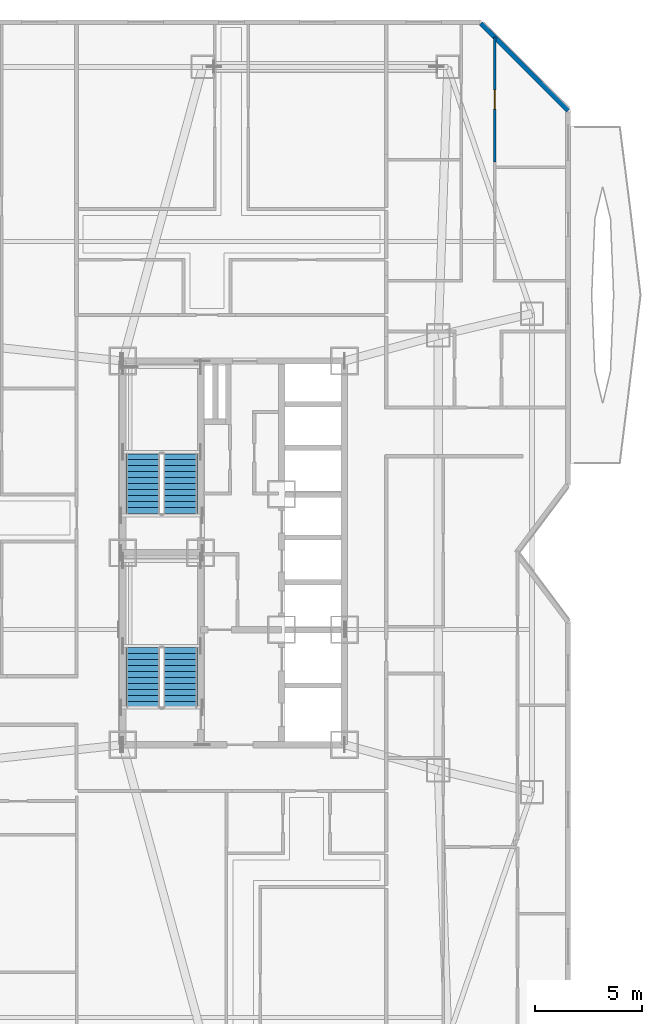
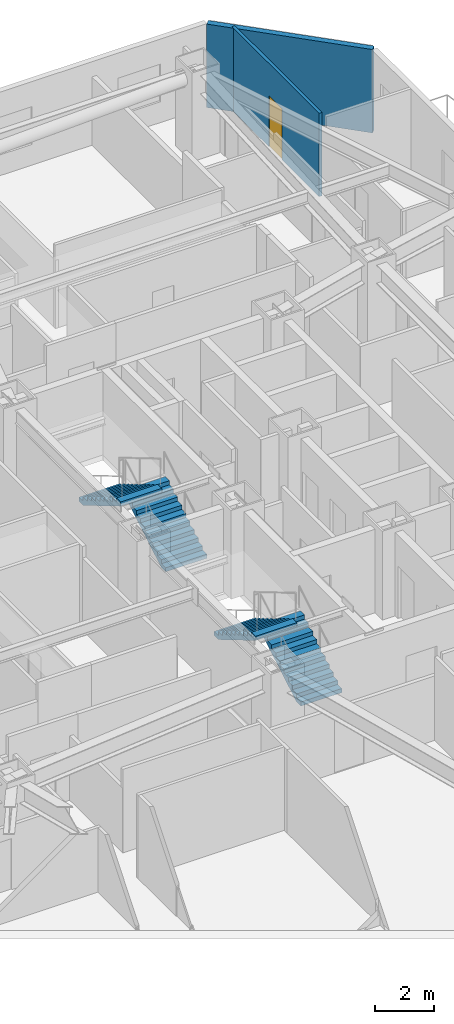
# One storey, part 14 of 17: 4 stair flights, 2 walls, 1 door, 1 opening, 2 elements without a shape of their own.
"""IFC4 building model written with IfcOpenShell, lengths in metres."""

from ifc_helpers import new_model, si_unit, direction, frame, frame_2d, origin, place, context, subcontext, project, spatial, polyline, rectangle, outline, extrude, material, layer, layer_set, type_object, element, fill, aggregate, save


model = new_model("IFC4")

# Units and contexts
model_context = context("Model", 3, precision=1e-05, world=origin(), true_north=direction((0.0, 1.0)))
body_context = subcontext(model_context, "Body", "Model", "MODEL_VIEW")
ifc_project = project(units=[si_unit("LENGTHUNIT", "METRE"), si_unit("AREAUNIT", "SQUARE_METRE"), si_unit("VOLUMEUNIT", "CUBIC_METRE"), si_unit("PLANEANGLEUNIT", "RADIAN"), si_unit("MASSUNIT", "GRAM", prefix="KILO")], contexts=[model_context])

# Site, building, storey
site_placement = place(None, origin())
site = spatial("IfcSite", under=ifc_project, at=site_placement, CompositionType="ELEMENT")
building_placement = place(site_placement, origin())
building = spatial("IfcBuilding", under=site, at=building_placement, Name="Khamvora Tower", CompositionType="ELEMENT")
storey_placement = place(building_placement, frame((0.0, 0.0, 44.25)))
storey = spatial("IfcBuildingStorey", under=building, at=storey_placement, Name="L10", CompositionType="ELEMENT", Elevation=44.25)

# Wall
ifc_material_1 = material(Name="Precast concrete C40/50", Category="concrete")
ifc_layer_1 = layer(ifc_material_1, 0.219970703125)
ifc_layer_set_1 = layer_set([ifc_layer_1], Name="Precast concrete C40/50")
wall_type_1 = type_object("IfcWallType", Name="WAL-EXT-220", PredefinedType="STANDARD", material=ifc_layer_set_1)
wall_1_placement = place(storey_placement, frame((45.802001953125, 52.842041015625, 0.0), z_axis=(0.0, 0.0, 1.0), x_axis=(0.707085666273, -0.70712789547, 0.0)))
element("IfcWall", 1, at=wall_1_placement, inside=storey, type_object=wall_type_1, Name="L10 exterior facade wall 08.1", PredefinedType="STANDARD", context=body_context, shape_type="SweptSolid", body=[
    extrude(rectangle(XDim=5.78125, YDim=0.219970703125, at=frame_2d((2.890625, 0.0))), origin(), (0.0, 0.0, 1.0), 3.429931640625),
])

# Wall, opening, door
ifc_material_2 = material(Name="Gypsum Plasterboard Partition", Category="gypsum")
ifc_layer_2 = layer(ifc_material_2, 0.1201171875)
ifc_layer_set_2 = layer_set([ifc_layer_2], Name="Gypsum Plasterboard Partition")
wall_type_2 = type_object("IfcWallType", Name="WAL-PART-120", PredefinedType="PARTITIONING", material=ifc_layer_set_2)
wall_2_placement = place(storey_placement, frame((46.445068359375, 52.2080078125, 0.0), z_axis=(0.0, 0.0, 1.0), x_axis=(0.0, -1.0, 0.0)))
wall_2 = element("IfcWall", 2, at=wall_2_placement, inside=storey, type_object=wall_type_2, Name="L10 interior partition wall 171", PredefinedType="PARTITIONING", context=body_context, shape_type="SweptSolid", body=[
    extrude(rectangle(XDim=5.8720703125, YDim=0.1201171875, at=frame_2d((2.93603515625, 0.0))), origin(), (0.0, 0.0, 1.0), 3.429931640625),
])
opening_placement = place(wall_2_placement, frame((2.486083984375, 0.0, 0.0)))
opening = element("IfcOpeningElement", 3, at=opening_placement, cuts=wall_2, Name="Opening D-RM1", PredefinedType="OPENING", context=body_context, shape_type="SweptSolid", body=[
    extrude(rectangle(XDim=0.89990234375, YDim=2.10009765625, at=frame_2d((0.449951171875, 1.050048828125))), frame((0.0, 0.070068359375, 0.0), z_axis=(0.0, -1.0, 0.0), x_axis=(1.0, 0.0, 0.0)), (0.0, 0.0, 1.0), 0.14013671875),
])
ifc_material_3 = material(Name="Powder-Coated Steel and Hardwood Leaf", Category="steel")
door_type = type_object("IfcDoorType", Name="DOR-ROOM-900", OperationType="NOTDEFINED", PredefinedType="DOOR", material=ifc_material_3)
door_placement = place(opening_placement, origin())
door = element("IfcDoor", 4, at=door_placement, inside=storey, type_object=door_type, Name="L10 interior door 10ECH-10ECR4", OperationType="SINGLE_SWING_RIGHT", OverallHeight=2.10009765625, OverallWidth=0.89990234375, PredefinedType="DOOR", context=body_context, shape_type="SweptSolid", body=[
    extrude(rectangle(XDim=0.89990234375, YDim=2.10009765625, at=frame_2d((0.449951171875, 1.050048828125))), frame((0.0, 0.02490234375, 0.0), z_axis=(0.0, -1.0, 0.0), x_axis=(1.0, 0.0, 0.0)), (0.0, 0.0, 1.0), 0.050048828125),
])
fill(opening, door)

# Stair, stair flights
ifc_material_4 = material(Name="Concrete C40/50", Category="concrete")
stair_type_1 = type_object("IfcStairType", Name="STR-ST-01", PredefinedType="HALF_TURN_STAIR", material=ifc_material_4)
stair_1_placement = place(storey_placement, origin())
stair_1 = element("IfcStair", 5, at=stair_1_placement, inside=storey, type_object=stair_type_1, Name="L10 South Tower Exit Stair ST-01", PredefinedType="HALF_TURN_STAIR")
stair_flight_type_1 = type_object("IfcStairFlightType", Name="STF-ST-01", PredefinedType="STRAIGHT", material=ifc_material_4)
stair_flight_1_placement = place(storey_placement, frame((31.699951171875, 20.75, 0.0), z_axis=(0.0, 0.0, 1.0), x_axis=(0.0, 1.0, 0.0)))
stair_flight_1 = element("IfcStairFlight", 6, at=stair_flight_1_placement, type_object=stair_flight_type_1, Name="ST-01 flight 1", NumberOfRisers=11, NumberOfTreads=10, PredefinedType="STRAIGHT", RiserHeight=0.165909091, TreadLength=0.28, context=body_context, shape_type="SweptSolid", body=[
    extrude(outline(polyline([(0.0, 0.0), (0.0, 0.166015625), (0.280029296875, 0.166015625), (0.280029296875, 0.331787109375), (0.56005859375, 0.331787109375), (0.56005859375, 0.497802734375), (0.840087890625, 0.497802734375), (0.840087890625, 0.66357421875), (1.1201171875, 0.66357421875), (1.1201171875, 0.82958984375), (1.39990234375, 0.82958984375), (1.39990234375, 0.995361328125), (1.679931640625, 0.995361328125), (1.679931640625, 1.161376953125), (1.9599609375, 1.161376953125), (1.9599609375, 1.327392578125), (2.239990234375, 1.327392578125), (2.239990234375, 1.4931640625), (2.52001953125, 1.4931640625), (2.52001953125, 1.6591796875), (2.800048828125, 1.6591796875), (2.800048828125, 1.824951171875), (2.800048828125, 1.48486328125), (0.2939453125, 0.0), (0.0, 0.0)])), frame((0.0, 0.800048828125, 0.0), z_axis=(0.0, -1.0, 0.0), x_axis=(1.0, 0.0, 0.0)), (0.0, 0.0, 1.0), 1.60009765625),
])
stair_flight_2_placement = place(storey_placement, frame((29.949951171875, 23.550048828125, 1.824951171875), z_axis=(0.0, 0.0, 1.0), x_axis=(0.0, -1.0, 0.0)))
stair_flight_2 = element("IfcStairFlight", 7, at=stair_flight_2_placement, type_object=stair_flight_type_1, Name="ST-01 flight 2", NumberOfRisers=11, NumberOfTreads=10, PredefinedType="STRAIGHT", RiserHeight=0.165909091, TreadLength=0.28, context=body_context, shape_type="SweptSolid", body=[
    extrude(outline(polyline([(0.0, 0.0), (0.0, 0.166015625), (0.280029296875, 0.166015625), (0.280029296875, 0.331787109375), (0.56005859375, 0.331787109375), (0.56005859375, 0.497802734375), (0.840087890625, 0.497802734375), (0.840087890625, 0.66357421875), (1.1201171875, 0.66357421875), (1.1201171875, 0.82958984375), (1.39990234375, 0.82958984375), (1.39990234375, 0.995361328125), (1.679931640625, 0.995361328125), (1.679931640625, 1.161376953125), (1.9599609375, 1.161376953125), (1.9599609375, 1.327392578125), (2.239990234375, 1.327392578125), (2.239990234375, 1.4931640625), (2.52001953125, 1.4931640625), (2.52001953125, 1.6591796875), (2.800048828125, 1.6591796875), (2.800048828125, 1.824951171875), (2.800048828125, 1.48486328125), (0.2939453125, 0.0), (0.0, 0.0)])), frame((0.0, 0.800048828125, 0.0), z_axis=(0.0, -1.0, 0.0), x_axis=(1.0, 0.0, 0.0)), (0.0, 0.0, 1.0), 1.60009765625),
])
aggregate(stair_1, [stair_flight_1, stair_flight_2])

stair_type_2 = type_object("IfcStairType", Name="STR-ST-02", PredefinedType="HALF_TURN_STAIR", material=ifc_material_4)
stair_2_placement = place(storey_placement, origin())
stair_2 = element("IfcStair", 8, at=stair_2_placement, inside=storey, type_object=stair_type_2, Name="L10 North Tower Exit Stair ST-02", PredefinedType="HALF_TURN_STAIR")
stair_flight_type_2 = type_object("IfcStairFlightType", Name="STF-ST-02", PredefinedType="STRAIGHT", material=ifc_material_4)
stair_flight_3_placement = place(storey_placement, frame((31.699951171875, 29.85009765625, 0.0), z_axis=(0.0, 0.0, 1.0), x_axis=(0.0, 1.0, 0.0)))
stair_flight_3 = element("IfcStairFlight", 9, at=stair_flight_3_placement, type_object=stair_flight_type_2, Name="ST-02 flight 1", NumberOfRisers=11, NumberOfTreads=10, PredefinedType="STRAIGHT", RiserHeight=0.165909091, TreadLength=0.28, context=body_context, shape_type="SweptSolid", body=[
    extrude(outline(polyline([(0.0, 0.0), (0.0, 0.166015625), (0.280029296875, 0.166015625), (0.280029296875, 0.331787109375), (0.56005859375, 0.331787109375), (0.56005859375, 0.497802734375), (0.840087890625, 0.497802734375), (0.840087890625, 0.66357421875), (1.1201171875, 0.66357421875), (1.1201171875, 0.82958984375), (1.39990234375, 0.82958984375), (1.39990234375, 0.995361328125), (1.679931640625, 0.995361328125), (1.679931640625, 1.161376953125), (1.9599609375, 1.161376953125), (1.9599609375, 1.327392578125), (2.239990234375, 1.327392578125), (2.239990234375, 1.4931640625), (2.52001953125, 1.4931640625), (2.52001953125, 1.6591796875), (2.800048828125, 1.6591796875), (2.800048828125, 1.824951171875), (2.800048828125, 1.48486328125), (0.2939453125, 0.0), (0.0, 0.0)])), frame((0.0, 0.800048828125, 0.0), z_axis=(0.0, -1.0, 0.0), x_axis=(1.0, 0.0, 0.0)), (0.0, 0.0, 1.0), 1.60009765625),
])
stair_flight_4_placement = place(storey_placement, frame((29.949951171875, 32.64990234375, 1.824951171875), z_axis=(0.0, 0.0, 1.0), x_axis=(0.0, -1.0, 0.0)))
stair_flight_4 = element("IfcStairFlight", 10, at=stair_flight_4_placement, type_object=stair_flight_type_2, Name="ST-02 flight 2", NumberOfRisers=11, NumberOfTreads=10, PredefinedType="STRAIGHT", RiserHeight=0.165909091, TreadLength=0.28, context=body_context, shape_type="SweptSolid", body=[
    extrude(outline(polyline([(0.0, 0.0), (0.0, 0.166015625), (0.280029296875, 0.166015625), (0.280029296875, 0.331787109375), (0.56005859375, 0.331787109375), (0.56005859375, 0.497802734375), (0.840087890625, 0.497802734375), (0.840087890625, 0.66357421875), (1.1201171875, 0.66357421875), (1.1201171875, 0.82958984375), (1.39990234375, 0.82958984375), (1.39990234375, 0.995361328125), (1.679931640625, 0.995361328125), (1.679931640625, 1.161376953125), (1.9599609375, 1.161376953125), (1.9599609375, 1.327392578125), (2.239990234375, 1.327392578125), (2.239990234375, 1.4931640625), (2.52001953125, 1.4931640625), (2.52001953125, 1.6591796875), (2.800048828125, 1.6591796875), (2.800048828125, 1.824951171875), (2.800048828125, 1.48486328125), (0.2939453125, 0.0), (0.0, 0.0)])), frame((0.0, 0.800048828125, 0.0), z_axis=(0.0, -1.0, 0.0), x_axis=(1.0, 0.0, 0.0)), (0.0, 0.0, 1.0), 1.60009765625),
])
aggregate(stair_2, [stair_flight_3, stair_flight_4])

save(model, "model.ifc")
